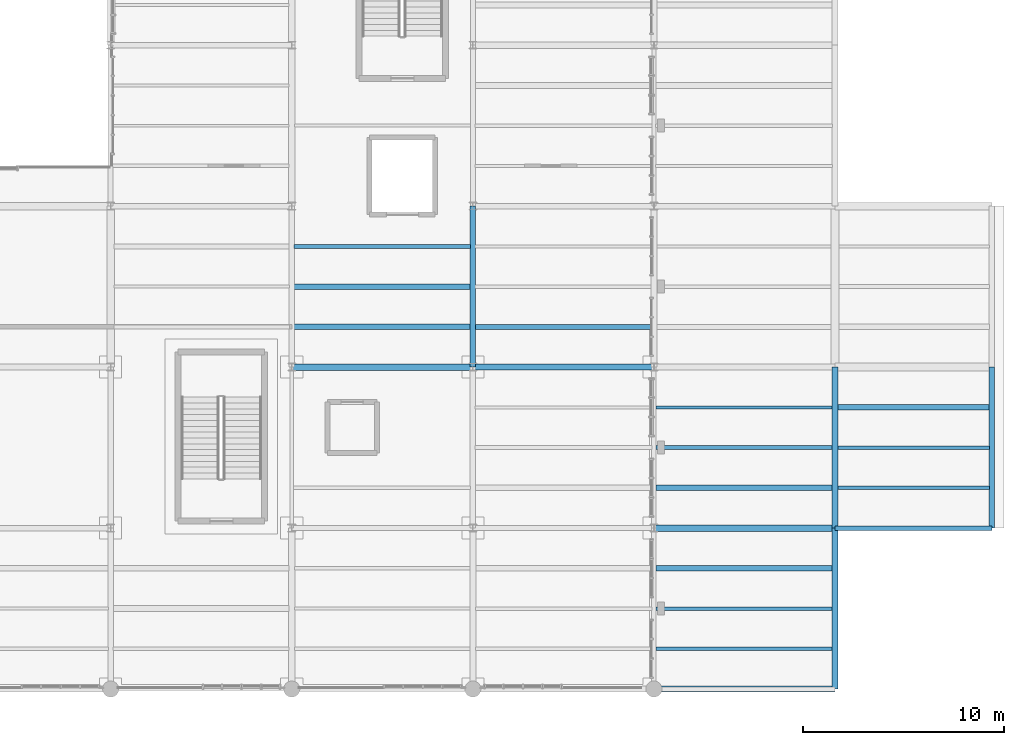
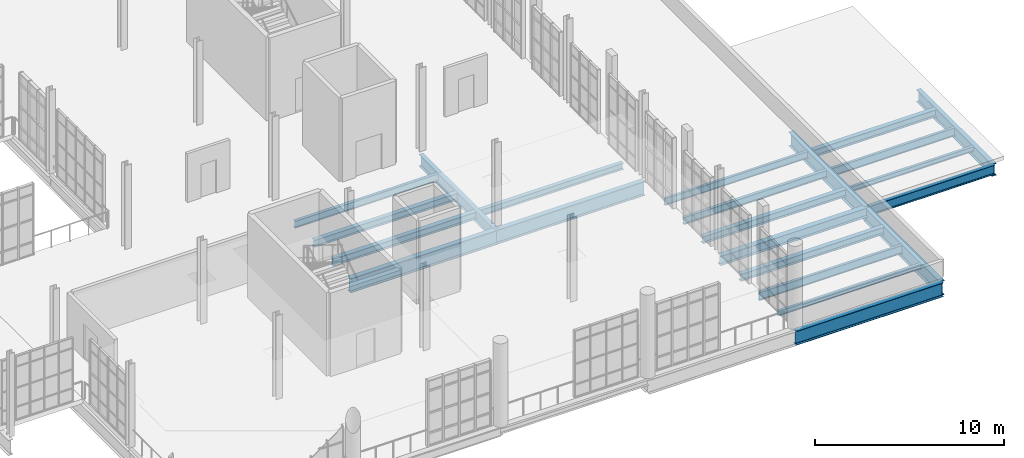
# One storey, part 75 of 142: 22 beams.
"""IFC4 building model written with IfcOpenShell, lengths in metres."""

from ifc_helpers import new_model, si_unit, direction, frame, origin, origin_2d, place, context, subcontext, project, spatial, i_section, extrude, material, material_profile, profile_set, type_object, element, save


model = new_model("IFC4")

# Units and contexts
model_context = context("Model", 3, precision=1e-05, world=origin(), true_north=direction((0.0, 1.0)))
body_context = subcontext(model_context, "Body", "Model", "MODEL_VIEW")
ifc_project = project(units=[si_unit("LENGTHUNIT", "METRE"), si_unit("AREAUNIT", "SQUARE_METRE"), si_unit("VOLUMEUNIT", "CUBIC_METRE"), si_unit("PLANEANGLEUNIT", "RADIAN"), si_unit("MASSUNIT", "GRAM", prefix="KILO"), si_unit("THERMODYNAMICTEMPERATUREUNIT", "KELVIN"), si_unit("POWERUNIT", "WATT")], contexts=[model_context])

# Site, building, storey
site_placement = place(None, origin())
site = spatial("IfcSite", under=ifc_project, at=site_placement, CompositionType="ELEMENT")
building_placement = place(site_placement, origin())
building = spatial("IfcBuilding", under=site, at=building_placement, Name="Zelmaris Science Centre", CompositionType="ELEMENT")
storey_placement = place(building_placement, frame((0.0, 0.0, 5.39990234375)))
storey = spatial("IfcBuildingStorey", under=building, at=storey_placement, Name="L01", CompositionType="ELEMENT", Elevation=5.39990234375)

# Beams
ifc_material = material(Name="Steel ASTM A992 Grade 50", Category="steel")
ifc_material_profile_1 = material_profile(ifc_material, i_section(OverallWidth=0.304931640625, OverallDepth=0.9140625, WebThickness=0.0166015625, FlangeThickness=0.02587890625, FilletRadius=0.02392578125, at=origin_2d()), Name="W36X160")
ifc_profile_set_1 = profile_set([ifc_material_profile_1], Name="Steel ASTM A992 Grade 50")
beam_type_1 = type_object("IfcBeamType", Name="Beam G-04 W36X160", PredefinedType="BEAM", material=ifc_profile_set_1)
beam_1_placement = place(storey_placement, frame((144.0, 8.0, -0.73681640625), z_axis=(1.0, 0.0, 0.0), x_axis=(0.0, 1.0, 0.0)))
element("IfcBeam", 1, at=beam_1_placement, inside=storey, type_object=beam_type_1, Name="L01 East-west girder 342", PredefinedType="BEAM", context=body_context, shape_type="SweptSolid", body=[
    extrude(i_section(OverallWidth=0.304931640625, OverallDepth=0.9140625, WebThickness=0.0166015625, FlangeThickness=0.02587890625, FilletRadius=0.02392578125, at=origin_2d()), origin(), (0.0, 0.0, 1.0), 9.0),
])
ifc_material_profile_2 = material_profile(ifc_material, i_section(OverallWidth=0.26708984375, OverallDepth=0.757080078125, WebThickness=0.013916015625, FlangeThickness=0.019287109375, FilletRadius=0.01904296875, at=origin_2d()), Name="W30X108")
ifc_profile_set_2 = profile_set([ifc_material_profile_2], Name="Steel ASTM A992 Grade 50")
beam_type_2 = type_object("IfcBeamType", Name="Beam G-10 W30X108", PredefinedType="BEAM", material=ifc_profile_set_2)
beam_2_placement = place(storey_placement, frame((135.0, 24.0, -0.658447265625), z_axis=(0.0, 1.0, 0.0), x_axis=(-1.0, 0.0, 0.0)))
element("IfcBeam", 2, at=beam_2_placement, inside=storey, type_object=beam_type_2, Name="L01 North-south girder 315", PredefinedType="BEAM", context=body_context, shape_type="SweptSolid", body=[
    extrude(i_section(OverallWidth=0.26708984375, OverallDepth=0.757080078125, WebThickness=0.013916015625, FlangeThickness=0.019287109375, FilletRadius=0.01904296875, at=origin_2d()), origin(), (0.0, 0.0, 1.0), 8.0),
])
ifc_material_profile_3 = material_profile(ifc_material, i_section(OverallWidth=0.324951171875, OverallDepth=0.612060546875, WebThickness=0.0126953125, FlangeThickness=0.01904296875, FilletRadius=0.014892578125, at=origin_2d()), Name="W24X104")
ifc_profile_set_3 = profile_set([ifc_material_profile_3], Name="Steel ASTM A992 Grade 50")
beam_type_3 = type_object("IfcBeamType", Name="Beam G-15 W24X104", PredefinedType="BEAM", material=ifc_profile_set_3)
beam_3_placement = place(storey_placement, frame((144.0, 16.0, -0.5859375), z_axis=(1.0, 0.0, 0.0), x_axis=(0.0, 1.0, 0.0)))
element("IfcBeam", 3, at=beam_3_placement, inside=storey, type_object=beam_type_3, Name="L01 East-west girder 349", PredefinedType="BEAM", context=body_context, shape_type="SweptSolid", body=[
    extrude(i_section(OverallWidth=0.324951171875, OverallDepth=0.612060546875, WebThickness=0.0126953125, FlangeThickness=0.01904296875, FilletRadius=0.014892578125, at=origin_2d()), origin(), (0.0, 0.0, 1.0), 9.0),
])
ifc_material_profile_4 = material_profile(ifc_material, i_section(OverallWidth=0.22900390625, OverallDepth=0.612060546875, WebThickness=0.011962890625, FlangeThickness=0.01953125, FilletRadius=0.014892578125, at=origin_2d()), Name="W24X84")
ifc_profile_set_4 = profile_set([ifc_material_profile_4], Name="Steel ASTM A992 Grade 50")
beam_type_4 = type_object("IfcBeamType", Name="Beam G-16 W24X84", PredefinedType="BEAM", material=ifc_profile_set_4)
beam_4_placement = place(storey_placement, frame((153.0, 16.0, -0.5859375), z_axis=(1.0, 0.0, 0.0), x_axis=(0.0, 1.0, 0.0)))
element("IfcBeam", 4, at=beam_4_placement, inside=storey, type_object=beam_type_4, Name="L01 East-west girder 350", PredefinedType="BEAM", context=body_context, shape_type="SweptSolid", body=[
    extrude(i_section(OverallWidth=0.22900390625, OverallDepth=0.612060546875, WebThickness=0.011962890625, FlangeThickness=0.01953125, FilletRadius=0.014892578125, at=origin_2d()), origin(), (0.0, 0.0, 1.0), 7.800048828125),
])
ifc_material_profile_5 = material_profile(ifc_material, i_section(OverallWidth=0.31005859375, OverallDepth=0.931884765625, WebThickness=0.02099609375, FlangeThickness=0.034423828125, FilletRadius=0.02392578125, at=origin_2d()), Name="W36X210")
ifc_profile_set_5 = profile_set([ifc_material_profile_5], Name="Steel ASTM A992 Grade 50")
beam_type_5 = type_object("IfcBeamType", Name="Beam G-25 W36X210", PredefinedType="BEAM", material=ifc_profile_set_5)
beam_5_placement = place(storey_placement, frame((126.0, 24.0, -0.745849609375), z_axis=(1.0, 0.0, 0.0), x_axis=(0.0, 1.0, 0.0)))
element("IfcBeam", 5, at=beam_5_placement, inside=storey, type_object=beam_type_5, Name="L01 East-west girder 355", PredefinedType="BEAM", context=body_context, shape_type="SweptSolid", body=[
    extrude(i_section(OverallWidth=0.31005859375, OverallDepth=0.931884765625, WebThickness=0.02099609375, FlangeThickness=0.034423828125, FilletRadius=0.02392578125, at=origin_2d()), origin(), (0.0, 0.0, 1.0), 9.0),
])
ifc_material_profile_6 = material_profile(ifc_material, i_section(OverallWidth=0.304931640625, OverallDepth=0.9189453125, WebThickness=0.017333984375, FlangeThickness=0.02783203125, FilletRadius=0.02392578125, at=origin_2d()), Name="W36X170")
ifc_profile_set_6 = profile_set([ifc_material_profile_6], Name="Steel ASTM A992 Grade 50")
beam_type_6 = type_object("IfcBeamType", Name="Beam G-26 W36X170", PredefinedType="BEAM", material=ifc_profile_set_6)
beam_6_placement = place(storey_placement, frame((153.0, 8.0, -0.739501953125), z_axis=(0.0, 1.0, 0.0), x_axis=(-1.0, 0.0, 0.0)))
element("IfcBeam", 6, at=beam_6_placement, inside=storey, type_object=beam_type_6, Name="L01 North-south girder 325", PredefinedType="BEAM", context=body_context, shape_type="SweptSolid", body=[
    extrude(i_section(OverallWidth=0.304931640625, OverallDepth=0.9189453125, WebThickness=0.017333984375, FlangeThickness=0.02783203125, FilletRadius=0.02392578125, at=origin_2d()), origin(), (0.0, 0.0, 1.0), 8.0),
])
beam_7_placement = place(storey_placement, frame((135.0, 24.0, -0.739501953125), z_axis=(1.0, 0.0, 0.0), x_axis=(0.0, 1.0, 0.0)))
element("IfcBeam", 7, at=beam_7_placement, inside=storey, type_object=beam_type_6, Name="L01 East-west girder 356", PredefinedType="BEAM", context=body_context, shape_type="SweptSolid", body=[
    extrude(i_section(OverallWidth=0.304931640625, OverallDepth=0.9189453125, WebThickness=0.017333984375, FlangeThickness=0.02783203125, FilletRadius=0.02392578125, at=origin_2d()), origin(), (0.0, 0.0, 1.0), 9.0),
])
ifc_material_profile_7 = material_profile(ifc_material, i_section(OverallWidth=0.304931640625, OverallDepth=0.912109375, WebThickness=0.015869140625, FlangeThickness=0.02392578125, FilletRadius=0.02392578125, at=origin_2d()), Name="W36X150")
ifc_profile_set_7 = profile_set([ifc_material_profile_7], Name="Steel ASTM A992 Grade 50")
beam_type_7 = type_object("IfcBeamType", Name="Beam G-27 W36X150", PredefinedType="BEAM", material=ifc_profile_set_7)
beam_8_placement = place(storey_placement, frame((153.0, 16.0, -0.73583984375), z_axis=(0.0, 1.0, 0.0), x_axis=(-1.0, 0.0, 0.0)))
element("IfcBeam", 8, at=beam_8_placement, inside=storey, type_object=beam_type_7, Name="L01 North-south girder 326", PredefinedType="BEAM", context=body_context, shape_type="SweptSolid", body=[
    extrude(i_section(OverallWidth=0.304931640625, OverallDepth=0.912109375, WebThickness=0.015869140625, FlangeThickness=0.02392578125, FilletRadius=0.02392578125, at=origin_2d()), origin(), (0.0, 0.0, 1.0), 8.0),
])
ifc_material_profile_8 = material_profile(ifc_material, i_section(OverallWidth=0.26708984375, OverallDepth=0.780029296875, WebThickness=0.0166015625, FlangeThickness=0.030029296875, FilletRadius=0.01904296875, at=origin_2d()), Name="W30X148")
ifc_profile_set_8 = profile_set([ifc_material_profile_8], Name="Steel ASTM A992 Grade 50")
beam_type_8 = type_object("IfcBeamType", Name="Beam G-32 W30X148", PredefinedType="BEAM", material=ifc_profile_set_8)
beam_9_placement = place(storey_placement, frame((160.800048828125, 16.0, -0.669921875), z_axis=(0.0, 1.0, 0.0), x_axis=(-1.0, 0.0, 0.0)))
element("IfcBeam", 9, at=beam_9_placement, inside=storey, type_object=beam_type_8, Name="L01 North-south girder 331", PredefinedType="BEAM", context=body_context, shape_type="SweptSolid", body=[
    extrude(i_section(OverallWidth=0.26708984375, OverallDepth=0.780029296875, WebThickness=0.0166015625, FlangeThickness=0.030029296875, FilletRadius=0.01904296875, at=origin_2d()), origin(), (0.0, 0.0, 1.0), 8.0),
])
ifc_material_profile_9 = material_profile(ifc_material, i_section(OverallWidth=0.16796875, OverallDepth=0.532958984375, WebThickness=0.01025390625, FlangeThickness=0.0166015625, FilletRadius=0.013916015625, at=origin_2d()), Name="W21X57")
ifc_profile_set_9 = profile_set([ifc_material_profile_9], Name="Steel ASTM A992 Grade 50")
beam_type_9 = type_object("IfcBeamType", Name="Beam J-01 W21X57", PredefinedType="JOIST", material=ifc_profile_set_9)
beam_10_placement = place(storey_placement, frame((144.099609375, 12.0, -0.54638671875), z_axis=(1.0, 0.0, 0.0), x_axis=(0.0, 1.0, 0.0)))
element("IfcBeam", 10, at=beam_10_placement, inside=storey, type_object=beam_type_9, Name="L01 Composite floor joist 216", PredefinedType="JOIST", context=body_context, shape_type="SweptSolid", body=[
    extrude(i_section(OverallWidth=0.16796875, OverallDepth=0.532958984375, WebThickness=0.01025390625, FlangeThickness=0.0166015625, FilletRadius=0.013916015625, at=origin_2d()), origin(), (0.0, 0.0, 1.0), 8.762939453125),
])
beam_11_placement = place(storey_placement, frame((153.137451171875, 20.0, -0.54638671875), z_axis=(1.0, 0.0, 0.0), x_axis=(0.0, 1.0, 0.0)))
element("IfcBeam", 11, at=beam_11_placement, inside=storey, type_object=beam_type_9, Name="L01 Composite floor joist 234", PredefinedType="JOIST", context=body_context, shape_type="SweptSolid", body=[
    extrude(i_section(OverallWidth=0.16796875, OverallDepth=0.532958984375, WebThickness=0.01025390625, FlangeThickness=0.0166015625, FilletRadius=0.013916015625, at=origin_2d()), origin(), (0.0, 0.0, 1.0), 7.5439453125),
])
ifc_material_profile_10 = material_profile(ifc_material, i_section(OverallWidth=0.281982421875, OverallDepth=0.471923828125, WebThickness=0.013671875, FlangeThickness=0.022216796875, FilletRadius=0.012939453125, at=origin_2d()), Name="W18X97")
ifc_profile_set_10 = profile_set([ifc_material_profile_10], Name="Steel ASTM A992 Grade 50")
beam_type_10 = type_object("IfcBeamType", Name="Beam J-02 W18X97", PredefinedType="JOIST", material=ifc_profile_set_10)
beam_12_placement = place(storey_placement, frame((126.112060546875, 26.0, -0.515869140625), z_axis=(1.0, 0.0, 0.0), x_axis=(0.0, 1.0, 0.0)))
element("IfcBeam", 12, at=beam_12_placement, inside=storey, type_object=beam_type_10, Name="L01 Composite floor joist 190", PredefinedType="JOIST", context=body_context, shape_type="SweptSolid", body=[
    extrude(i_section(OverallWidth=0.281982421875, OverallDepth=0.471923828125, WebThickness=0.013671875, FlangeThickness=0.022216796875, FilletRadius=0.012939453125, at=origin_2d()), origin(), (0.0, 0.0, 1.0), 8.76953125),
])
beam_13_placement = place(storey_placement, frame((144.099609375, 14.0, -0.515869140625), z_axis=(1.0, 0.0, 0.0), x_axis=(0.0, 1.0, 0.0)))
element("IfcBeam", 13, at=beam_13_placement, inside=storey, type_object=beam_type_10, Name="L01 Composite floor joist 217", PredefinedType="JOIST", context=body_context, shape_type="SweptSolid", body=[
    extrude(i_section(OverallWidth=0.281982421875, OverallDepth=0.471923828125, WebThickness=0.013671875, FlangeThickness=0.022216796875, FilletRadius=0.012939453125, at=origin_2d()), origin(), (0.0, 0.0, 1.0), 8.762939453125),
])
beam_14_placement = place(storey_placement, frame((153.137451171875, 22.0, -0.515869140625), z_axis=(1.0, 0.0, 0.0), x_axis=(0.0, 1.0, 0.0)))
element("IfcBeam", 14, at=beam_14_placement, inside=storey, type_object=beam_type_10, Name="L01 Composite floor joist 235", PredefinedType="JOIST", context=body_context, shape_type="SweptSolid", body=[
    extrude(i_section(OverallWidth=0.281982421875, OverallDepth=0.471923828125, WebThickness=0.013671875, FlangeThickness=0.022216796875, FilletRadius=0.012939453125, at=origin_2d()), origin(), (0.0, 0.0, 1.0), 7.5439453125),
])
ifc_material_profile_11 = material_profile(ifc_material, i_section(OverallWidth=0.279052734375, OverallDepth=0.4619140625, WebThickness=0.0107421875, FlangeThickness=0.017333984375, FilletRadius=0.012939453125, at=origin_2d()), Name="W18X76")
ifc_profile_set_11 = profile_set([ifc_material_profile_11], Name="Steel ASTM A992 Grade 50")
beam_type_11 = type_object("IfcBeamType", Name="Beam J-03 W18X76", PredefinedType="JOIST", material=ifc_profile_set_11)
beam_15_placement = place(storey_placement, frame((126.112060546875, 28.0, -0.510986328125), z_axis=(1.0, 0.0, 0.0), x_axis=(0.0, 1.0, 0.0)))
element("IfcBeam", 15, at=beam_15_placement, inside=storey, type_object=beam_type_11, Name="L01 Composite floor joist 191", PredefinedType="JOIST", context=body_context, shape_type="SweptSolid", body=[
    extrude(i_section(OverallWidth=0.279052734375, OverallDepth=0.4619140625, WebThickness=0.0107421875, FlangeThickness=0.017333984375, FilletRadius=0.012939453125, at=origin_2d()), origin(), (0.0, 0.0, 1.0), 8.76953125),
])
beam_16_placement = place(storey_placement, frame((144.099609375, 18.0, -0.510986328125), z_axis=(1.0, 0.0, 0.0), x_axis=(0.0, 1.0, 0.0)))
element("IfcBeam", 16, at=beam_16_placement, inside=storey, type_object=beam_type_11, Name="L01 Composite floor joist 218", PredefinedType="JOIST", context=body_context, shape_type="SweptSolid", body=[
    extrude(i_section(OverallWidth=0.279052734375, OverallDepth=0.4619140625, WebThickness=0.0107421875, FlangeThickness=0.017333984375, FilletRadius=0.012939453125, at=origin_2d()), origin(), (0.0, 0.0, 1.0), 8.762939453125),
])
ifc_material_profile_12 = material_profile(ifc_material, i_section(OverallWidth=0.19091796875, OverallDepth=0.4599609375, WebThickness=0.010009765625, FlangeThickness=0.01611328125, FilletRadius=0.012939453125, at=origin_2d()), Name="W18X55")
ifc_profile_set_12 = profile_set([ifc_material_profile_12], Name="Steel ASTM A992 Grade 50")
beam_type_12 = type_object("IfcBeamType", Name="Beam J-04 W18X55", PredefinedType="JOIST", material=ifc_profile_set_12)
beam_17_placement = place(storey_placement, frame((126.112060546875, 30.0, -0.510009765625), z_axis=(1.0, 0.0, 0.0), x_axis=(0.0, 1.0, 0.0)))
element("IfcBeam", 17, at=beam_17_placement, inside=storey, type_object=beam_type_12, Name="L01 Composite floor joist 192", PredefinedType="JOIST", context=body_context, shape_type="SweptSolid", body=[
    extrude(i_section(OverallWidth=0.19091796875, OverallDepth=0.4599609375, WebThickness=0.010009765625, FlangeThickness=0.01611328125, FilletRadius=0.012939453125, at=origin_2d()), origin(), (0.0, 0.0, 1.0), 8.76953125),
])
beam_18_placement = place(storey_placement, frame((144.099609375, 20.0, -0.510009765625), z_axis=(1.0, 0.0, 0.0), x_axis=(0.0, 1.0, 0.0)))
element("IfcBeam", 18, at=beam_18_placement, inside=storey, type_object=beam_type_12, Name="L01 Composite floor joist 219", PredefinedType="JOIST", context=body_context, shape_type="SweptSolid", body=[
    extrude(i_section(OverallWidth=0.19091796875, OverallDepth=0.4599609375, WebThickness=0.010009765625, FlangeThickness=0.01611328125, FilletRadius=0.012939453125, at=origin_2d()), origin(), (0.0, 0.0, 1.0), 8.762939453125),
])
ifc_material_profile_13 = material_profile(ifc_material, i_section(OverallWidth=0.152099609375, OverallDepth=0.455078125, WebThickness=0.008056640625, FlangeThickness=0.01318359375, FilletRadius=0.012939453125, at=origin_2d()), Name="W18X40")
ifc_profile_set_13 = profile_set([ifc_material_profile_13], Name="Steel ASTM A992 Grade 50")
beam_type_13 = type_object("IfcBeamType", Name="Beam J-05 W18X40", PredefinedType="JOIST", material=ifc_profile_set_13)
beam_19_placement = place(storey_placement, frame((144.099609375, 22.0, -0.50732421875), z_axis=(1.0, 0.0, 0.0), x_axis=(0.0, 1.0, 0.0)))
element("IfcBeam", 19, at=beam_19_placement, inside=storey, type_object=beam_type_13, Name="L01 Composite floor joist 220", PredefinedType="JOIST", context=body_context, shape_type="SweptSolid", body=[
    extrude(i_section(OverallWidth=0.152099609375, OverallDepth=0.455078125, WebThickness=0.008056640625, FlangeThickness=0.01318359375, FilletRadius=0.012939453125, at=origin_2d()), origin(), (0.0, 0.0, 1.0), 8.762939453125),
])
ifc_material_profile_14 = material_profile(ifc_material, i_section(OverallWidth=0.260009765625, OverallDepth=0.4140625, WebThickness=0.010009765625, FlangeThickness=0.016845703125, FilletRadius=0.011962890625, at=origin_2d()), Name="W16X67")
ifc_profile_set_14 = profile_set([ifc_material_profile_14], Name="Steel ASTM A992 Grade 50")
beam_type_14 = type_object("IfcBeamType", Name="Beam J-06 W16X67", PredefinedType="JOIST", material=ifc_profile_set_14)
beam_20_placement = place(storey_placement, frame((135.118408203125, 26.0, -0.48681640625), z_axis=(1.0, 0.0, 0.0), x_axis=(0.0, 1.0, 0.0)))
element("IfcBeam", 20, at=beam_20_placement, inside=storey, type_object=beam_type_14, Name="L01 Composite floor joist 203", PredefinedType="JOIST", context=body_context, shape_type="SweptSolid", body=[
    extrude(i_section(OverallWidth=0.260009765625, OverallDepth=0.4140625, WebThickness=0.010009765625, FlangeThickness=0.016845703125, FilletRadius=0.011962890625, at=origin_2d()), origin(), (0.0, 0.0, 1.0), 8.740478515625),
])
ifc_material_profile_15 = material_profile(ifc_material, i_section(OverallWidth=0.1669921875, OverallDepth=0.318115234375, WebThickness=0.007568359375, FlangeThickness=0.01318359375, FilletRadius=0.011962890625, at=origin_2d()), Name="W12X35")
ifc_profile_set_15 = profile_set([ifc_material_profile_15], Name="Steel ASTM A992 Grade 50")
beam_type_15 = type_object("IfcBeamType", Name="Beam J-09 W12X35", PredefinedType="JOIST", material=ifc_profile_set_15)
beam_21_placement = place(storey_placement, frame((144.099609375, 10.0, -0.43896484375), z_axis=(1.0, 0.0, 0.0), x_axis=(0.0, 1.0, 0.0)))
element("IfcBeam", 21, at=beam_21_placement, inside=storey, type_object=beam_type_15, Name="L01 Composite floor joist 215", PredefinedType="JOIST", context=body_context, shape_type="SweptSolid", body=[
    extrude(i_section(OverallWidth=0.1669921875, OverallDepth=0.318115234375, WebThickness=0.007568359375, FlangeThickness=0.01318359375, FilletRadius=0.011962890625, at=origin_2d()), origin(), (0.0, 0.0, 1.0), 8.762939453125),
])
beam_22_placement = place(storey_placement, frame((153.137451171875, 18.0, -0.43896484375), z_axis=(1.0, 0.0, 0.0), x_axis=(0.0, 1.0, 0.0)))
element("IfcBeam", 22, at=beam_22_placement, inside=storey, type_object=beam_type_15, Name="L01 Composite floor joist 233", PredefinedType="JOIST", context=body_context, shape_type="SweptSolid", body=[
    extrude(i_section(OverallWidth=0.1669921875, OverallDepth=0.318115234375, WebThickness=0.007568359375, FlangeThickness=0.01318359375, FilletRadius=0.011962890625, at=origin_2d()), origin(), (0.0, 0.0, 1.0), 7.5439453125),
])

save(model, "model.ifc")
